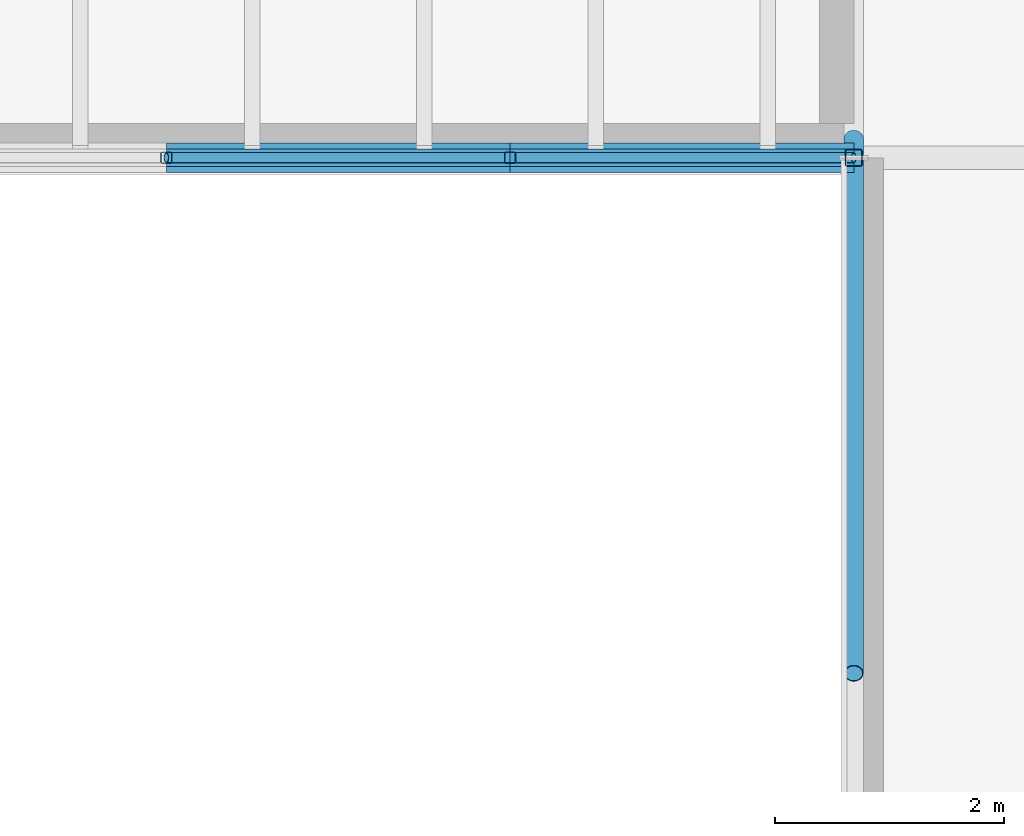
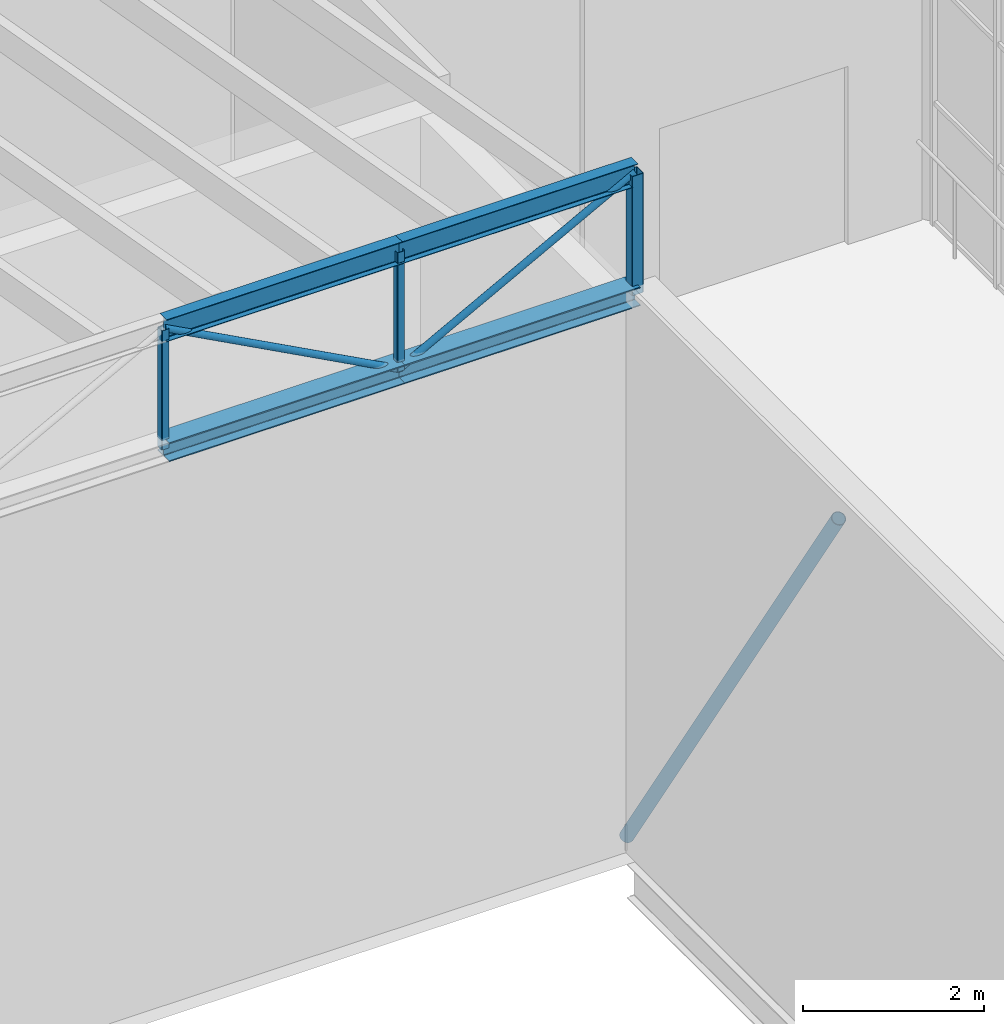
# One storey, part 50 of 90: 10 members.
"""IFC4 building model written with IfcOpenShell, lengths in metres."""

from ifc_helpers import new_model, si_unit, direction, frame, origin, origin_2d, place, context, subcontext, project, spatial, hollow_rectangle, hollow_circle, i_section, extrude, material, material_profile, profile_set, type_object, element, save


model = new_model("IFC4")

# Units and contexts
model_context = context("Model", 3, precision=1e-05, world=origin(), true_north=direction((0.0, 1.0)))
body_context = subcontext(model_context, "Body", "Model", "MODEL_VIEW")
ifc_project = project(units=[si_unit("LENGTHUNIT", "METRE"), si_unit("AREAUNIT", "SQUARE_METRE"), si_unit("VOLUMEUNIT", "CUBIC_METRE"), si_unit("PLANEANGLEUNIT", "RADIAN"), si_unit("MASSUNIT", "GRAM", prefix="KILO")], contexts=[model_context])

# Site, building, storey
site_placement = place(None, origin())
site = spatial("IfcSite", under=ifc_project, at=site_placement, CompositionType="ELEMENT")
building_placement = place(site_placement, origin())
building = spatial("IfcBuilding", under=site, at=building_placement, Name="Halyard Row Museum", CompositionType="ELEMENT")
storey_placement = place(building_placement, frame((0.0, 0.0, 13.39990234375)))
storey = spatial("IfcBuildingStorey", under=building, at=storey_placement, Name="L03", CompositionType="ELEMENT", Elevation=13.39990234375)

# Members
ifc_material_1 = material(Name="Steel Grade C350L0", Category="steel")
ifc_material_profile_1 = material_profile(ifc_material_1, hollow_circle(Radius=0.084228515625, WallThickness=0.007080078125, at=origin_2d()), Name="168.3x7.1CHS")
ifc_profile_set_1 = profile_set([ifc_material_profile_1], Name="Steel Grade C350L0")
member_type_1 = type_object("IfcMemberType", Name="Brace 168.3x7.1CHS", PredefinedType="BRACE", material=ifc_profile_set_1)
member_1_placement = place(storey_placement, frame((72.0, 18.169921875, 0.084228515625), z_axis=(0.0, -0.549136067158, 0.83573295959), x_axis=(1.0, 0.0, 0.0)))
element("IfcMember", 1, at=member_1_placement, inside=storey, type_object=member_type_1, Name="Brace L03 X72 9-18 B", PredefinedType="BRACE", context=body_context, shape_type="SweptSolid", body=[
    extrude(hollow_circle(Radius=0.084228515625, WallThickness=0.007080078125, at=origin_2d()), origin(), (0.0, 0.0, 1.0), 8.504150390625),
])
ifc_material_2 = material(Name="Steel Grade 300", Category="steel")
ifc_material_profile_2 = material_profile(ifc_material_2, i_section(OverallWidth=0.25390625, OverallDepth=0.25390625, WebThickness=0.008544921875, FlangeThickness=0.01416015625, FilletRadius=0.013916015625, at=origin_2d()), Name="250UC72.9")
ifc_profile_set_2 = profile_set([ifc_material_profile_2], Name="Steel Grade 300")
member_type_2 = type_object("IfcMemberType", Name="Valley truss bottom chord 250UC72.9", PredefinedType="CHORD", material=ifc_profile_set_2)
for number, where, z_axis, x_axis, name in (
    (2, (66.0, 18.0, 7.527099609375), (1.0, 0.0, 0.0), (0.0, 1.0, 0.0), "V1-VT1 bottom chord 5.2"),
    (3, (69.0, 18.0, 7.527099609375), (1.0, 0.0, 0.0), (0.0, 1.0, 0.0), "V1-VT1 bottom chord 5.3"),
):
    element("IfcMember", number, at=place(storey_placement, frame(where, z_axis=z_axis, x_axis=x_axis)), inside=storey, type_object=member_type_2, Name=name, PredefinedType="CHORD", context=body_context, shape_type="SweptSolid", body=[
        extrude(i_section(OverallWidth=0.25390625, OverallDepth=0.25390625, WebThickness=0.008544921875, FlangeThickness=0.01416015625, FilletRadius=0.013916015625, at=origin_2d()), origin(), (0.0, 0.0, 1.0), 3.0),
    ])
ifc_material_3 = material(Name="Steel Grade C250L0", Category="steel")
ifc_material_profile_3 = material_profile(ifc_material_3, hollow_circle(Radius=0.04443359375, WallThickness=0.0048828125, at=origin_2d()), Name="88.9x5.0CHS")
ifc_profile_set_3 = profile_set([ifc_material_profile_3], Name="Steel Grade C250L0")
member_type_3 = type_object("IfcMemberType", Name="Valley truss diagonal 88.9x5.0CHS", PredefinedType="BRACE", material=ifc_profile_set_3)
for number, where, z_axis, x_axis, name in (
    (4, (66.0, 18.0, 9.131103515625), (0.881863759518, 0.0, -0.471504305016), (0.0, 1.0, 0.0), "V1-VT1 diagonal 5.2"),
    (5, (69.0, 18.0, 7.527099609375), (0.881863759518, 0.0, 0.471504305016), (0.0, 1.0, 0.0), "V1-VT1 diagonal 5.3"),
):
    element("IfcMember", number, at=place(storey_placement, frame(where, z_axis=z_axis, x_axis=x_axis)), inside=storey, type_object=member_type_3, Name=name, PredefinedType="BRACE", context=body_context, shape_type="SweptSolid", body=[
        extrude(hollow_circle(Radius=0.04443359375, WallThickness=0.0048828125, at=origin_2d()), origin(), (0.0, 0.0, 1.0), 3.40185546875),
    ])
ifc_material_4 = material(Name="Steel Grade C350L0", Category="steel")
ifc_material_profile_4 = material_profile(ifc_material_4, hollow_rectangle(XDim=0.10009765625, YDim=0.10009765625, WallThickness=0.006103515625, InnerFilletRadius=0.009033203125, OuterFilletRadius=0.014892578125, at=origin_2d()), Name="100x100x6.0SHS")
ifc_profile_set_4 = profile_set([ifc_material_profile_4], Name="Steel Grade C350L0")
member_type_4 = type_object("IfcMemberType", Name="Valley truss post 100x100x6.0SHS", PredefinedType="POST", material=ifc_profile_set_4)
for number, where, z_axis, x_axis, name in (
    (6, (66.0, 18.0, 7.527099609375), (0.0, 0.0, 1.0), (1.0, 0.0, 0.0), "V1-VT1 post 5.1"),
    (7, (69.0, 18.0, 7.527099609375), (0.0, 0.0, 1.0), (1.0, 0.0, 0.0), "V1-VT1 post 5.2"),
):
    element("IfcMember", number, at=place(storey_placement, frame(where, z_axis=z_axis, x_axis=x_axis)), inside=storey, type_object=member_type_4, Name=name, PredefinedType="POST", context=body_context, shape_type="SweptSolid", body=[
        extrude(hollow_rectangle(XDim=0.10009765625, YDim=0.10009765625, WallThickness=0.006103515625, InnerFilletRadius=0.009033203125, OuterFilletRadius=0.014892578125, at=origin_2d()), origin(), (0.0, 0.0, 1.0), 1.60400390625),
    ])
ifc_material_5 = material(Name="Steel Grade C350L0", Category="steel")
ifc_material_profile_5 = material_profile(ifc_material_5, hollow_rectangle(XDim=0.14990234375, YDim=0.14990234375, WallThickness=0.006103515625, InnerFilletRadius=0.009033203125, OuterFilletRadius=0.014892578125, at=origin_2d()), Name="150x150x6.0SHS")
ifc_profile_set_5 = profile_set([ifc_material_profile_5], Name="Steel Grade C350L0")
member_type_5 = type_object("IfcMemberType", Name="Valley truss post 150x150x6.0SHS", PredefinedType="POST", material=ifc_profile_set_5)
member_2_placement = place(storey_placement, frame((72.0, 18.0, 7.527099609375), z_axis=(0.0, 0.0, 1.0), x_axis=(1.0, 0.0, 0.0)))
element("IfcMember", 8, at=member_2_placement, inside=storey, type_object=member_type_5, Name="V1-VT1 post 5.3", PredefinedType="POST", context=body_context, shape_type="SweptSolid", body=[
    extrude(hollow_rectangle(XDim=0.14990234375, YDim=0.14990234375, WallThickness=0.006103515625, InnerFilletRadius=0.009033203125, OuterFilletRadius=0.014892578125, at=origin_2d()), origin(), (0.0, 0.0, 1.0), 1.60400390625),
])
ifc_material_6 = material(Name="Steel Grade 300", Category="steel")
ifc_material_profile_6 = material_profile(ifc_material_6, i_section(OverallWidth=0.14892578125, OverallDepth=0.298095703125, WebThickness=0.005615234375, FlangeThickness=0.008056640625, FilletRadius=0.012939453125, at=origin_2d()), Name="310UB32.0")
ifc_profile_set_6 = profile_set([ifc_material_profile_6], Name="Steel Grade 300")
member_type_6 = type_object("IfcMemberType", Name="Valley truss top chord 310UB32.0", PredefinedType="CHORD", material=ifc_profile_set_6)
for number, where, z_axis, x_axis, name in (
    (9, (66.0, 18.0, 9.131103515625), (1.0, 0.0, 0.0), (0.0, 1.0, 0.0), "V1-VT1 top chord 5.2"),
    (10, (69.0, 18.0, 9.131103515625), (1.0, 0.0, 0.0), (0.0, 1.0, 0.0), "V1-VT1 top chord 5.3"),
):
    element("IfcMember", number, at=place(storey_placement, frame(where, z_axis=z_axis, x_axis=x_axis)), inside=storey, type_object=member_type_6, Name=name, PredefinedType="CHORD", context=body_context, shape_type="SweptSolid", body=[
        extrude(i_section(OverallWidth=0.14892578125, OverallDepth=0.298095703125, WebThickness=0.005615234375, FlangeThickness=0.008056640625, FilletRadius=0.012939453125, at=origin_2d()), origin(), (0.0, 0.0, 1.0), 3.0),
    ])

save(model, "model.ifc")
